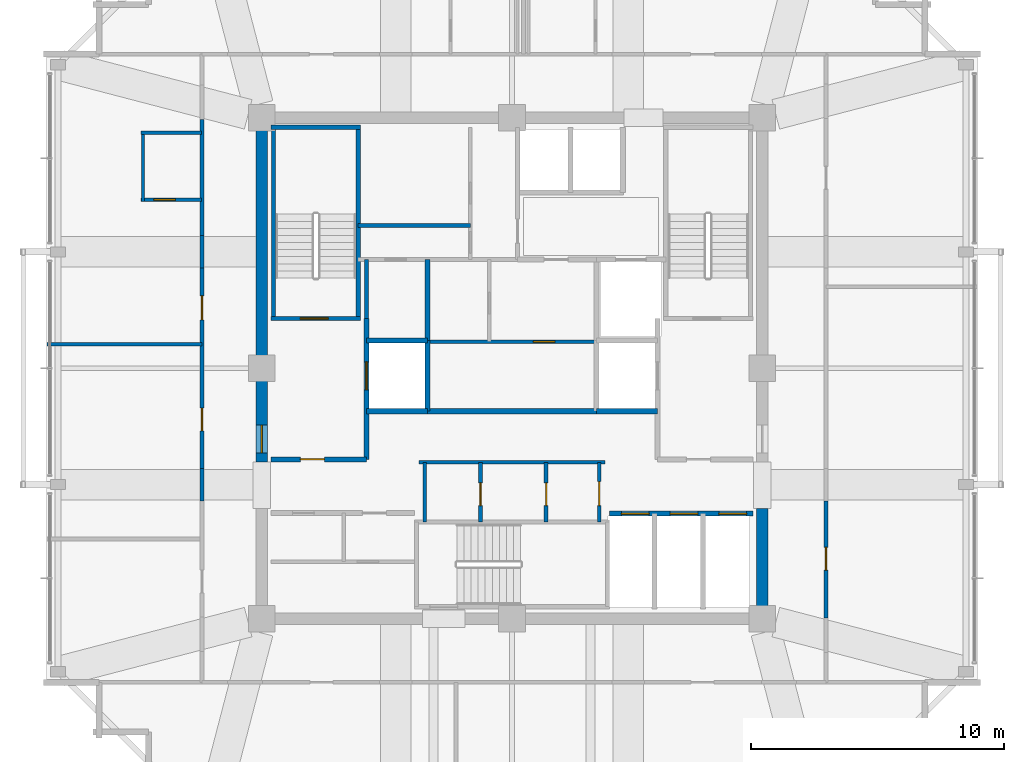
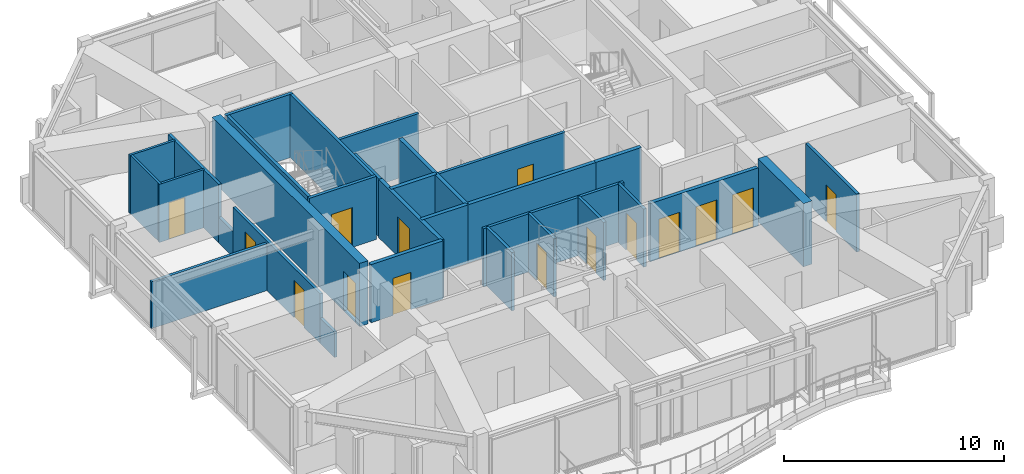
# One storey, part 27 of 30: 32 walls, 15 doors, 15 openings.
"""IFC4 building model written with IfcOpenShell, lengths in metres."""

import ifcopenshell
import ifcopenshell.guid

model = None  # the IFC model being written
_history = None  # IfcOwnerHistory: only IFC2X3 demands one
_inside = {}  # id of a spatial element -> (the spatial element, [elements in it])
_under = {}  # id of a project, library or spatial element -> (it, [spatial elements below it])
_declared = {}  # id of a project -> (the project, [libraries it declares])
_typed = {}  # id of a type object -> (the type object, [elements of that type])
_made_of = {}  # id of a material, layer set ... -> (it, [elements and type objects made of it])


def new_model(schema):
    """Start an empty IFC model of exactly this schema.

    Asked for "IFC4X3", IfcOpenShell would pick the latest addendum, in which some entities
    have other attributes; the version numbers below select the first issue.
    IFC2X3 requires an IfcOwnerHistory on every rooted entity: one is made here for all.
    """
    global model, _history
    if schema == "IFC4X3":
        model = ifcopenshell.file(schema_version=(4, 3, 0, 0))
    else:
        model = ifcopenshell.file(schema=schema)
    _inside.clear()
    _under.clear()
    _declared.clear()
    _typed.clear()
    _made_of.clear()
    _history = None
    if model.schema == "IFC2X3":
        org = make("IfcOrganization", Name="unknown")
        user = make(
            "IfcPersonAndOrganization",
            ThePerson=make("IfcPerson", FamilyName="unknown"),
            TheOrganization=org,
        )
        app = make(
            "IfcApplication",
            ApplicationDeveloper=org,
            Version="unknown",
            ApplicationFullName="unknown",
            ApplicationIdentifier="unknown",
        )
        _history = make(
            "IfcOwnerHistory",
            OwningUser=user,
            OwningApplication=app,
            ChangeAction="ADDED",
            CreationDate=0,
        )
    return model


def make(cls, **values):
    """One entity of the class cls with the attributes given. An attribute that is None is left unset."""
    return model.create_entity(
        cls, **{name: value for name, value in values.items() if value is not None}
    )


def rooted(cls, **values):
    """An entity with a GlobalId (a new one), such as an element, a storey or a relation."""
    return make(cls, GlobalId=ifcopenshell.guid.new(), OwnerHistory=_history, **values)


def si_unit(unit_type, name, prefix=None):
    """IfcSIUnit, for example si_unit("LENGTHUNIT", "METRE", prefix="MILLI")."""
    return make("IfcSIUnit", UnitType=unit_type, Prefix=prefix, Name=name)


def assignment(units):
    """IfcUnitAssignment: the units of a project."""
    return None if units is None else make("IfcUnitAssignment", Units=units)


def point(xyz):
    """IfcCartesianPoint."""
    return None if xyz is None else make("IfcCartesianPoint", Coordinates=xyz)


def direction(xyz):
    """IfcDirection."""
    return None if xyz is None else make("IfcDirection", DirectionRatios=xyz)


def frame(location, z_axis=None, x_axis=None):
    """IfcAxis2Placement3D, a coordinate frame: its origin and axes. An axis left out is left unset."""
    return make(
        "IfcAxis2Placement3D",
        Location=point(location),
        Axis=direction(z_axis),
        RefDirection=direction(x_axis),
    )


def frame_2d(location, x_axis=None):
    """IfcAxis2Placement2D, a coordinate frame in the plane: its origin and x axis."""
    return make(
        "IfcAxis2Placement2D", Location=point(location), RefDirection=direction(x_axis)
    )


def origin():
    """The frame at (0, 0, 0) with its axes left unset."""
    return frame((0.0, 0.0, 0.0))


def place(relative_to, where):
    """IfcLocalPlacement: puts the frame where relative to a parent placement (None: the world)."""
    return make(
        "IfcLocalPlacement", PlacementRelTo=relative_to, RelativePlacement=where
    )


def context(
    kind, dimensions, precision=None, world=None, true_north=None, identifier=None
):
    """IfcGeometricRepresentationContext, for example the 3D "Model" context."""
    return make(
        "IfcGeometricRepresentationContext",
        ContextIdentifier=identifier,
        ContextType=kind,
        CoordinateSpaceDimension=dimensions,
        Precision=precision,
        WorldCoordinateSystem=world,
        TrueNorth=true_north,
    )


def subcontext(parent, identifier, kind, view, scale=None):
    """IfcGeometricRepresentationSubContext, for example "Body" below "Model"."""
    return make(
        "IfcGeometricRepresentationSubContext",
        ContextIdentifier=identifier,
        ContextType=kind,
        ParentContext=parent,
        TargetScale=scale,
        TargetView=view,
    )


def project(units=None, contexts=None):
    """IfcProject with its units and contexts."""
    return rooted(
        "IfcProject",
        Name="project",
        RepresentationContexts=contexts,
        UnitsInContext=assignment(units),
    )


def spatial(cls, under=None, at=None, **own):
    """A site, building, storey or space (cls), placed at a placement, below another one or the project."""
    s = rooted(cls, ObjectPlacement=at, **own)
    if under is not None:
        _under.setdefault(under.id(), (under, []))[1].append(s)
    return s


def profile(cls, at=None, kind="AREA", **sizes):
    """A parametric profile (cls). Its sizes go by their IFC names, for example OverallWidth=200.0."""
    return make(cls, ProfileType=kind, Position=at, **sizes)


def rectangle(**sizes):
    """IfcRectangleProfileDef."""
    return profile("IfcRectangleProfileDef", **sizes)


def extrude(swept, where, along, depth):
    """IfcExtrudedAreaSolid: the profile swept, set in the frame where, extruded along a direction by depth."""
    return make(
        "IfcExtrudedAreaSolid",
        SweptArea=swept,
        Position=where,
        ExtrudedDirection=direction(along),
        Depth=depth,
    )


def shape(context_of_items, identifier, shape_type, items):
    """IfcShapeRepresentation: the items that make up one representation, for example the "Body"."""
    return make(
        "IfcShapeRepresentation",
        ContextOfItems=context_of_items,
        RepresentationIdentifier=identifier,
        RepresentationType=shape_type,
        Items=items,
    )


def material(Name=None, Category=None):
    """IfcMaterial."""
    return make("IfcMaterial", Name=Name, Category=Category)


def layer(
    of_material, thickness, ventilated=None, Name=None, Category=None, Priority=None
):
    """IfcMaterialLayer: one layer of a wall or slab, of a material (None: an air gap)."""
    return make(
        "IfcMaterialLayer",
        Material=of_material,
        LayerThickness=thickness,
        IsVentilated=ventilated,
        Name=Name,
        Category=Category,
        Priority=Priority,
    )


def layer_set(layers, Name=None):
    """IfcMaterialLayerSet."""
    return make("IfcMaterialLayerSet", MaterialLayers=layers, LayerSetName=Name)


def made_of(thing, what):
    """Note that an element or type object is made of a material, layer set ...; save() writes the relation."""
    if what is not None:
        _made_of.setdefault(what.id(), (what, []))[1].append(thing)
    return thing


def type_object(cls, material=None, **own):
    """A type object (cls), such as IfcWallType, which elements share."""
    return made_of(rooted(cls, **own), material)


def element(
    cls,
    number,
    at=None,
    inside=None,
    cuts=None,
    type_object=None,
    material=None,
    context=None,
    identifier="Body",
    shape_type=None,
    held_by="IfcProductDefinitionShape",
    body=None,
    shapes=None,
    **own,
):
    """One element of the class cls, such as IfcWall. Its Tag is "e" and its number.

    at: its placement. inside: the storey or other place that contains it. cuts: it is an
    opening in that element (IfcRelVoidsElement). A single representation is given by context,
    identifier, shape_type and body (its items); several are given by shapes. held_by: the class
    of the entity that holds the representations. save() writes the other relations.
    """
    e = rooted(cls, Tag="e%d" % number, ObjectPlacement=at, **own)
    if body is not None:
        shapes = [shape(context, identifier, shape_type, body)]
    if shapes is not None:
        e.Representation = make(held_by, Representations=shapes)
    if inside is not None:
        _inside.setdefault(inside.id(), (inside, []))[1].append(e)
    if cuts is not None:
        rooted(
            "IfcRelVoidsElement", RelatingBuildingElement=cuts, RelatedOpeningElement=e
        )
    if type_object is not None:
        _typed.setdefault(type_object.id(), (type_object, []))[1].append(e)
    return made_of(e, material)


def fill(opening, filler):
    """IfcRelFillsElement: the door or window that sits in an opening."""
    return rooted(
        "IfcRelFillsElement",
        RelatingOpeningElement=opening,
        RelatedBuildingElement=filler,
    )


def aggregate(whole, parts):
    """IfcRelAggregates: a whole, such as a stair, and the parts it consists of."""
    return rooted("IfcRelAggregates", RelatingObject=whole, RelatedObjects=parts)


def save(model, path):
    """Write the relations noted so far, then the file.

    IfcRelAggregates (storeys below a building ...), IfcRelContainedInSpatialStructure (elements
    in a storey), IfcRelDefinesByType, IfcRelAssociatesMaterial and IfcRelDeclares: one each for
    every whole, place, type object, material and project.
    """
    for whole, parts in _under.values():
        aggregate(whole, parts)
    for where, things in _inside.values():
        rooted(
            "IfcRelContainedInSpatialStructure",
            RelatedElements=things,
            RelatingStructure=where,
        )
    for kind, things in _typed.values():
        rooted("IfcRelDefinesByType", RelatedObjects=things, RelatingType=kind)
    for what, things in _made_of.values():
        rooted("IfcRelAssociatesMaterial", RelatedObjects=things, RelatingMaterial=what)
    for by, libraries in _declared.values():
        rooted("IfcRelDeclares", RelatingContext=by, RelatedDefinitions=libraries)
    model.write(path)


model = new_model("IFC4")

# Units and contexts
model_context = context("Model", 3, precision=1e-05, world=origin(), true_north=direction((0.0, 1.0)))
body_context = subcontext(model_context, "Body", "Model", "MODEL_VIEW")
ifc_project = project(units=[si_unit("LENGTHUNIT", "METRE"), si_unit("AREAUNIT", "SQUARE_METRE"), si_unit("VOLUMEUNIT", "CUBIC_METRE"), si_unit("PLANEANGLEUNIT", "RADIAN"), si_unit("MASSUNIT", "GRAM", prefix="KILO")], contexts=[model_context])

# Site, building, storey
site_placement = place(None, origin())
site = spatial("IfcSite", under=ifc_project, at=site_placement, CompositionType="ELEMENT")
building_placement = place(site_placement, origin())
building = spatial("IfcBuilding", under=site, at=building_placement, Name="Kolvaren Belvedere", CompositionType="ELEMENT")
storey_placement = place(building_placement, frame((0.0, 0.0, 254.89990234375)))
storey = spatial("IfcBuildingStorey", under=building, at=storey_placement, Name="L74", CompositionType="ELEMENT", Elevation=254.89990234375)

# Wall
ifc_material_1 = material(Name="Concrete C50/60", Category="concrete")
ifc_layer_1 = layer(ifc_material_1, 0.449951171875)
ifc_layer_set_1 = layer_set([ifc_layer_1], Name="Concrete C50/60")
wall_type_1 = type_object("IfcWallType", Name="CW-CORE-450", PredefinedType="SHEAR", material=ifc_layer_set_1)
wall_1_placement = place(storey_placement, frame((9.89990234375, -9.675048828125, 0.0), z_axis=(0.0, 0.0, 1.0), x_axis=(0.0, 1.0, 0.0)))
element("IfcWall", 1, at=wall_1_placement, inside=storey, type_object=wall_type_1, Name="L74 East Core Shear Wall 1", PredefinedType="SHEAR", context=body_context, shape_type="SweptSolid", body=[
    extrude(rectangle(XDim=4.125, YDim=0.449951171875, at=frame_2d((2.0625, 0.0))), origin(), (0.0, 0.0, 1.0), 3.5),
])

# Wall, opening, door
wall_2_placement = place(storey_placement, frame((-9.89990234375, -3.699951171875, 0.0), z_axis=(0.0, 0.0, 1.0), x_axis=(0.0, 1.0, 0.0)))
wall_2 = element("IfcWall", 2, at=wall_2_placement, inside=storey, type_object=wall_type_1, Name="L74 West Core Shear Wall 2", PredefinedType="SHEAR", context=body_context, shape_type="SweptSolid", body=[
    extrude(rectangle(XDim=13.375, YDim=0.449951171875, at=frame_2d((6.6875, 0.0))), origin(), (0.0, 0.0, 1.0), 3.5),
])
opening_1_placement = place(wall_2_placement, frame((0.35009765625, 0.0, 0.0)))
opening_1 = element("IfcOpeningElement", 3, at=opening_1_placement, cuts=wall_2, Name="Opening D-FD90", PredefinedType="OPENING", context=body_context, shape_type="SweptSolid", body=[
    extrude(rectangle(XDim=1.10009765625, YDim=2.199951171875, at=frame_2d((0.550048828125, 1.10009765625))), frame((0.0, 0.23486328125, 0.0), z_axis=(0.0, -1.0, 0.0), x_axis=(1.0, 0.0, 0.0)), (0.0, 0.0, 1.0), 0.469970703125),
])
ifc_material_2 = material(Name="Painted hollow stainless steel", Category="steel")
door_type_1 = type_object("IfcDoorType", Name="DR-FD90-1100", OperationType="NOTDEFINED", PredefinedType="DOOR", material=ifc_material_2)
door_1_placement = place(opening_1_placement, origin())
door_1 = element("IfcDoor", 4, at=door_1_placement, inside=storey, type_object=door_type_1, Name="L74 West Firefighting Lobby Fire Door", OperationType="SINGLE_SWING_LEFT", OverallHeight=2.199951171875, OverallWidth=1.10009765625, PredefinedType="DOOR", context=body_context, shape_type="SweptSolid", body=[
    extrude(rectangle(XDim=1.10009765625, YDim=2.199951171875, at=frame_2d((0.550048828125, 1.10009765625))), frame((0.0, 0.02490234375, 0.0), z_axis=(0.0, -1.0, 0.0), x_axis=(1.0, 0.0, 0.0)), (0.0, 0.0, 1.0), 0.050048828125),
])
fill(opening_1, door_1)

ifc_material_3 = material(Name="Concrete C50/60", Category="concrete")
ifc_layer_2 = layer(ifc_material_3, 0.159912109375)
ifc_layer_set_2 = layer_set([ifc_layer_2], Name="Concrete C50/60")
wall_type_2 = type_object("IfcWallType", Name="CW-STAIR-160", PredefinedType="SHEAR", material=ifc_layer_set_2)
wall_3_placement = place(storey_placement, frame((-9.52001953125, 1.969970703125, 0.0), z_axis=(0.0, 0.0, 1.0), x_axis=(1.0, 0.0, 0.0)))
wall_3 = element("IfcWall", 5, at=wall_3_placement, inside=storey, type_object=wall_type_2, Name="L74 Stair ST-1 South Shear Wall", PredefinedType="SHEAR", context=body_context, shape_type="SweptSolid", body=[
    extrude(rectangle(XDim=3.52001953125, YDim=0.159912109375, at=frame_2d((1.760009765625, 0.0))), origin(), (0.0, 0.0, 1.0), 3.5),
])
opening_2_placement = place(wall_3_placement, frame((1.14990234375, 0.0, 0.0)))
opening_2 = element("IfcOpeningElement", 6, at=opening_2_placement, cuts=wall_3, Name="Opening D-FD90", PredefinedType="OPENING", context=body_context, shape_type="SweptSolid", body=[
    extrude(rectangle(XDim=1.10009765625, YDim=2.199951171875, at=frame_2d((0.550048828125, 1.10009765625))), frame((0.0, 0.08984375, 0.0), z_axis=(0.0, -1.0, 0.0), x_axis=(1.0, 0.0, 0.0)), (0.0, 0.0, 1.0), 0.179931640625),
])
door_2_placement = place(opening_2_placement, origin())
door_2 = element("IfcDoor", 7, at=door_2_placement, inside=storey, type_object=door_type_1, Name="L74 Stair ST-1 Fire Door", OperationType="SINGLE_SWING_LEFT", OverallHeight=2.199951171875, OverallWidth=1.10009765625, PredefinedType="DOOR", context=body_context, shape_type="SweptSolid", body=[
    extrude(rectangle(XDim=1.10009765625, YDim=2.199951171875, at=frame_2d((0.550048828125, 1.10009765625))), frame((0.0, 0.02490234375, 0.0), z_axis=(0.0, -1.0, 0.0), x_axis=(1.0, 0.0, 0.0)), (0.0, 0.0, 1.0), 0.050048828125),
])
fill(opening_2, door_2)

# Walls
wall_4_placement = place(storey_placement, frame((-9.52001953125, 9.530029296875, 0.0), z_axis=(0.0, 0.0, 1.0), x_axis=(1.0, 0.0, 0.0)))
element("IfcWall", 8, at=wall_4_placement, inside=storey, type_object=wall_type_2, Name="L74 Stair ST-1 North Shear Wall", PredefinedType="SHEAR", context=body_context, shape_type="SweptSolid", body=[
    extrude(rectangle(XDim=3.52001953125, YDim=0.159912109375, at=frame_2d((1.760009765625, 0.0))), origin(), (0.0, 0.0, 1.0), 3.5),
])
for number, where, z_axis, x_axis, name in (
    (9, (-9.429931640625, 1.969970703125, 0.0), (0.0, 0.0, 1.0), (0.0, 1.0, 0.0), "L74 Stair ST-1 West Shear Wall"),
    (10, (-6.080078125, 1.969970703125, 0.0), (0.0, 0.0, 1.0), (0.0, 1.0, 0.0), "L74 Stair ST-1 East Shear Wall"),
):
    element("IfcWall", number, at=place(storey_placement, frame(where, z_axis=z_axis, x_axis=x_axis)), inside=storey, type_object=wall_type_2, Name=name, PredefinedType="SHEAR", context=body_context, shape_type="SweptSolid", body=[
        extrude(rectangle(XDim=7.56005859375, YDim=0.159912109375, at=frame_2d((3.780029296875, 0.0))), origin(), (0.0, 0.0, 1.0), 3.5),
    ])
ifc_material_4 = material(Name="Gypsum fire-rated partition assembly", Category="gypsum")
ifc_layer_3 = layer(ifc_material_4, 0.14990234375)
ifc_layer_set_3 = layer_set([ifc_layer_3], Name="Gypsum fire-rated partition assembly")
wall_type_3 = type_object("IfcWallType", Name="WL-CORR-150", PredefinedType="PARTITIONING", material=ifc_layer_set_3)
wall_5_placement = place(storey_placement, frame((-12.260009765625, -5.241943359375, 0.0), z_axis=(0.0, 0.0, 1.0), x_axis=(0.0, 1.0, 0.0)))
element("IfcWall", 11, at=wall_5_placement, inside=storey, type_object=wall_type_3, Name="L74 West Corridor Wall", PredefinedType="PARTITIONING", context=body_context, shape_type="SweptSolid", body=[
    extrude(rectangle(XDim=1.283935546875, YDim=0.14990234375, at=frame_2d((0.64208984375, 0.0))), origin(), (0.0, 0.0, 1.0), 1.405029296875),
])

# Wall, openings, doors
wall_6_placement = place(storey_placement, frame((-12.260009765625, -3.9580078125, 0.0), z_axis=(0.0, 0.0, 1.0), x_axis=(0.0, 1.0, 0.0)))
wall_6 = element("IfcWall", 12, at=wall_6_placement, inside=storey, type_object=wall_type_3, Name="L74 West Corridor Wall", PredefinedType="PARTITIONING", context=body_context, shape_type="SweptSolid", body=[
    extrude(rectangle(XDim=7.916015625, YDim=0.14990234375, at=frame_2d((3.9580078125, 0.0))), origin(), (0.0, 0.0, 1.0), 2.7451171875),
])
opening_3_placement = place(wall_6_placement, frame((1.47802734375, 0.0, 0.0)))
opening_3 = element("IfcOpeningElement", 13, at=opening_3_placement, cuts=wall_6, Name="Opening D-INT90", PredefinedType="OPENING", context=body_context, shape_type="SweptSolid", body=[
    extrude(rectangle(XDim=0.89990234375, YDim=2.06005859375, at=frame_2d((0.449951171875, 1.030029296875))), frame((0.0, 0.0849609375, 0.0), z_axis=(0.0, -1.0, 0.0), x_axis=(1.0, 0.0, 0.0)), (0.0, 0.0, 1.0), 0.169921875),
])
opening_4_placement = place(wall_6_placement, frame((5.87109375, 0.0, 0.0)))
opening_4 = element("IfcOpeningElement", 14, at=opening_4_placement, cuts=wall_6, Name="Opening D-FD60", PredefinedType="OPENING", context=body_context, shape_type="SweptSolid", body=[
    extrude(rectangle(XDim=0.949951171875, YDim=2.06005859375, at=frame_2d((0.47509765625, 1.030029296875))), frame((0.0, 0.0849609375, 0.0), z_axis=(0.0, -1.0, 0.0), x_axis=(1.0, 0.0, 0.0)), (0.0, 0.0, 1.0), 0.169921875),
])
ifc_material_5 = material(Name="Acoustic white-oak fire door leaf", Category="timber")
door_type_2 = type_object("IfcDoorType", Name="DR-FD60-950", OperationType="NOTDEFINED", PredefinedType="DOOR", material=ifc_material_5)
door_3_placement = place(opening_4_placement, origin())
door_3 = element("IfcDoor", 15, at=door_3_placement, inside=storey, type_object=door_type_2, Name="L74 Botanical Hospitality Suite 7407 Entry Door", OperationType="SINGLE_SWING_LEFT", OverallHeight=2.06005859375, OverallWidth=0.949951171875, PredefinedType="DOOR", context=body_context, shape_type="SweptSolid", body=[
    extrude(rectangle(XDim=0.949951171875, YDim=2.06005859375, at=frame_2d((0.47509765625, 1.030029296875))), frame((0.0, 0.02490234375, 0.0), z_axis=(0.0, -1.0, 0.0), x_axis=(1.0, 0.0, 0.0)), (0.0, 0.0, 1.0), 0.050048828125),
])
fill(opening_4, door_3)
ifc_material_6 = material(Name="Stained Pacific white oak", Category="timber")
door_type_3 = type_object("IfcDoorType", Name="DR-INT-900", OperationType="NOTDEFINED", PredefinedType="DOOR", material=ifc_material_6)
door_4_placement = place(opening_3_placement, origin())
door_4 = element("IfcDoor", 16, at=door_4_placement, inside=storey, type_object=door_type_3, Name="L74 Botanical Reading Salon 7406 Door", OperationType="SINGLE_SWING_LEFT", OverallHeight=2.06005859375, OverallWidth=0.89990234375, PredefinedType="DOOR", context=body_context, shape_type="SweptSolid", body=[
    extrude(rectangle(XDim=0.89990234375, YDim=2.06005859375, at=frame_2d((0.449951171875, 1.030029296875))), frame((0.0, 0.02490234375, 0.0), z_axis=(0.0, -1.0, 0.0), x_axis=(1.0, 0.0, 0.0)), (0.0, 0.0, 1.0), 0.050048828125),
])
fill(opening_3, door_4)

# Walls
wall_7_placement = place(storey_placement, frame((-12.260009765625, 3.9580078125, 0.0), z_axis=(0.0, 0.0, 1.0), x_axis=(0.0, 1.0, 0.0)))
element("IfcWall", 17, at=wall_7_placement, inside=storey, type_object=wall_type_3, Name="L74 West Corridor Wall", PredefinedType="PARTITIONING", context=body_context, shape_type="SweptSolid", body=[
    extrude(rectangle(XDim=1.283935546875, YDim=0.14990234375, at=frame_2d((0.64208984375, 0.0))), origin(), (0.0, 0.0, 1.0), 1.405029296875),
])
wall_8_placement = place(storey_placement, frame((-12.260009765625, 5.241943359375, 0.0), z_axis=(0.0, 0.0, 1.0), x_axis=(0.0, 1.0, 0.0)))
element("IfcWall", 18, at=wall_8_placement, inside=storey, type_object=wall_type_3, Name="L74 West Corridor Wall", PredefinedType="PARTITIONING", context=body_context, shape_type="SweptSolid", body=[
    extrude(rectangle(XDim=4.58837890625, YDim=0.14990234375, at=frame_2d((2.294189453125, 0.0))), origin(), (0.0, 0.0, 1.0), 3.22021484375),
])

# Wall, opening, door
wall_9_placement = place(storey_placement, frame((12.419921875, -9.872314453125, 0.0), z_axis=(0.0, 0.0, 1.0), x_axis=(0.0, 1.0, 0.0)))
wall_9 = element("IfcWall", 19, at=wall_9_placement, inside=storey, type_object=wall_type_3, Name="L74 East Corridor Wall", PredefinedType="PARTITIONING", context=body_context, shape_type="SweptSolid", body=[
    extrude(rectangle(XDim=4.63037109375, YDim=0.14990234375, at=frame_2d((2.315185546875, 0.0))), origin(), (0.0, 0.0, 1.0), 3.22021484375),
])
opening_5_placement = place(wall_9_placement, frame((1.88720703125, 0.0, 0.0)))
opening_5 = element("IfcOpeningElement", 20, at=opening_5_placement, cuts=wall_9, Name="Opening D-INT90", PredefinedType="OPENING", context=body_context, shape_type="SweptSolid", body=[
    extrude(rectangle(XDim=0.89990234375, YDim=2.06005859375, at=frame_2d((0.449951171875, 1.030029296875))), frame((0.0, 0.0849609375, 0.0), z_axis=(0.0, -1.0, 0.0), x_axis=(1.0, 0.0, 0.0)), (0.0, 0.0, 1.0), 0.169921875),
])
door_5_placement = place(opening_5_placement, origin())
door_5 = element("IfcDoor", 21, at=door_5_placement, inside=storey, type_object=door_type_3, Name="L74 Lounge 7403 Door", OperationType="SINGLE_SWING_RIGHT", OverallHeight=2.06005859375, OverallWidth=0.89990234375, PredefinedType="DOOR", context=body_context, shape_type="SweptSolid", body=[
    extrude(rectangle(XDim=0.89990234375, YDim=2.06005859375, at=frame_2d((0.449951171875, 1.030029296875))), frame((0.0, 0.02490234375, 0.0), z_axis=(0.0, -1.0, 0.0), x_axis=(1.0, 0.0, 0.0)), (0.0, 0.0, 1.0), 0.050048828125),
])
fill(opening_5, door_5)

# Wall
ifc_material_7 = material(Name="Gypsum acoustic partition assembly", Category="gypsum")
ifc_layer_4 = layer(ifc_material_7, 0.14990234375)
ifc_layer_set_4 = layer_set([ifc_layer_4], Name="Gypsum acoustic partition assembly")
wall_type_4 = type_object("IfcWallType", Name="WL-PART-150", PredefinedType="PARTITIONING", material=ifc_layer_set_4)
wall_10_placement = place(storey_placement, frame((-6.080078125, 5.64990234375, 0.0), z_axis=(0.0, 0.0, 1.0), x_axis=(1.0, 0.0, 0.0)))
element("IfcWall", 22, at=wall_10_placement, inside=storey, type_object=wall_type_4, Name="L74 Reclaimed Tearoom H-Divider", PredefinedType="PARTITIONING", context=body_context, shape_type="SweptSolid", body=[
    extrude(rectangle(XDim=4.43017578125, YDim=0.14990234375, at=frame_2d((2.215087890625, 0.0))), origin(), (0.0, 0.0, 1.0), 3.22021484375),
])

# Wall, opening, door
wall_11_placement = place(storey_placement, frame((-3.35009765625, 1.050048828125, 0.0), z_axis=(0.0, 0.0, 1.0), x_axis=(1.0, 0.0, 0.0)))
wall_11 = element("IfcWall", 23, at=wall_11_placement, inside=storey, type_object=wall_type_4, Name="L74 Central Core H-Divider", PredefinedType="PARTITIONING", context=body_context, shape_type="SweptSolid", body=[
    extrude(rectangle(XDim=6.7001953125, YDim=0.14990234375, at=frame_2d((3.35009765625, 0.0))), origin(), (0.0, 0.0, 1.0), 3.22021484375),
])
opening_6_placement = place(wall_11_placement, frame((4.199951171875, 0.0, 0.0)))
opening_6 = element("IfcOpeningElement", 24, at=opening_6_placement, cuts=wall_11, Name="Opening D-INT85", PredefinedType="OPENING", context=body_context, shape_type="SweptSolid", body=[
    extrude(rectangle(XDim=0.85009765625, YDim=2.030029296875, at=frame_2d((0.425048828125, 1.01513671875))), frame((0.0, 0.0849609375, 0.0), z_axis=(0.0, -1.0, 0.0), x_axis=(1.0, 0.0, 0.0)), (0.0, 0.0, 1.0), 0.169921875),
])
ifc_material_8 = material(Name="Stained Pacific white oak", Category="timber")
door_type_4 = type_object("IfcDoorType", Name="DR-INT-850", OperationType="NOTDEFINED", PredefinedType="DOOR", material=ifc_material_8)
door_6_placement = place(opening_6_placement, origin())
door_6 = element("IfcDoor", 25, at=door_6_placement, inside=storey, type_object=door_type_4, Name="L74 Central Metering Door", OperationType="SINGLE_SWING_LEFT", OverallHeight=2.030029296875, OverallWidth=0.85009765625, PredefinedType="DOOR", context=body_context, shape_type="SweptSolid", body=[
    extrude(rectangle(XDim=0.85009765625, YDim=2.030029296875, at=frame_2d((0.425048828125, 1.01513671875))), frame((0.0, 0.02490234375, 0.0), z_axis=(0.0, -1.0, 0.0), x_axis=(1.0, 0.0, 0.0)), (0.0, 0.0, 1.0), 0.050048828125),
])
fill(opening_6, door_6)

# Wall
wall_12_placement = place(storey_placement, frame((-3.679931640625, -3.719970703125, 0.0), z_axis=(0.0, 0.0, 1.0), x_axis=(1.0, 0.0, 0.0)))
element("IfcWall", 26, at=wall_12_placement, inside=storey, type_object=wall_type_4, Name="L74 South Core Service North Wall", PredefinedType="PARTITIONING", context=body_context, shape_type="SweptSolid", body=[
    extrude(rectangle(XDim=7.35986328125, YDim=0.14990234375, at=frame_2d((3.679931640625, 0.0))), origin(), (0.0, 0.0, 1.0), 3.22021484375),
])

# Wall, opening, door
wall_13_placement = place(storey_placement, frame((3.449951171875, -6.080078125, 0.0), z_axis=(0.0, 0.0, 1.0), x_axis=(0.0, 1.0, 0.0)))
wall_13 = element("IfcWall", 27, at=wall_13_placement, inside=storey, type_object=wall_type_4, Name="L74 South Core Service East Wall", PredefinedType="PARTITIONING", context=body_context, shape_type="SweptSolid", body=[
    extrude(rectangle(XDim=2.360107421875, YDim=0.14990234375, at=frame_2d((1.18017578125, 0.0))), origin(), (0.0, 0.0, 1.0), 3.22021484375),
])
opening_7_placement = place(wall_13_placement, frame((0.64990234375, 0.0, 0.0)))
opening_7 = element("IfcOpeningElement", 28, at=opening_7_placement, cuts=wall_13, Name="Opening D-FD60", PredefinedType="OPENING", context=body_context, shape_type="SweptSolid", body=[
    extrude(rectangle(XDim=0.949951171875, YDim=2.06005859375, at=frame_2d((0.47509765625, 1.030029296875))), frame((0.0, 0.0849609375, 0.0), z_axis=(0.0, -1.0, 0.0), x_axis=(1.0, 0.0, 0.0)), (0.0, 0.0, 1.0), 0.169921875),
])
door_7_placement = place(opening_7_placement, origin())
door_7 = element("IfcDoor", 29, at=door_7_placement, inside=storey, type_object=door_type_2, Name="L74 Core Service Room Door", OperationType="SINGLE_SWING_LEFT", OverallHeight=2.06005859375, OverallWidth=0.949951171875, PredefinedType="DOOR", context=body_context, shape_type="SweptSolid", body=[
    extrude(rectangle(XDim=0.949951171875, YDim=2.06005859375, at=frame_2d((0.47509765625, 1.030029296875))), frame((0.0, 0.02490234375, 0.0), z_axis=(0.0, -1.0, 0.0), x_axis=(1.0, 0.0, 0.0)), (0.0, 0.0, 1.0), 0.050048828125),
])
fill(opening_7, door_7)

# Wall
wall_14_placement = place(storey_placement, frame((-3.449951171875, -6.080078125, 0.0), z_axis=(0.0, 0.0, 1.0), x_axis=(0.0, 1.0, 0.0)))
element("IfcWall", 30, at=wall_14_placement, inside=storey, type_object=wall_type_4, Name="L74 South Core Service West Wall", PredefinedType="PARTITIONING", context=body_context, shape_type="SweptSolid", body=[
    extrude(rectangle(XDim=2.360107421875, YDim=0.14990234375, at=frame_2d((1.18017578125, 0.0))), origin(), (0.0, 0.0, 1.0), 3.22021484375),
])

# Wall, opening, door
wall_15_placement = place(storey_placement, frame((1.35009765625, -6.080078125, 0.0), z_axis=(0.0, 0.0, 1.0), x_axis=(0.0, 1.0, 0.0)))
wall_15 = element("IfcWall", 31, at=wall_15_placement, inside=storey, type_object=wall_type_4, Name="L74 Core Service Divider 1", PredefinedType="PARTITIONING", context=body_context, shape_type="SweptSolid", body=[
    extrude(rectangle(XDim=2.360107421875, YDim=0.14990234375, at=frame_2d((1.18017578125, 0.0))), origin(), (0.0, 0.0, 1.0), 3.22021484375),
])
opening_8_placement = place(wall_15_placement, frame((0.64990234375, 0.0, 0.0)))
opening_8 = element("IfcOpeningElement", 32, at=opening_8_placement, cuts=wall_15, Name="Opening D-INT90", PredefinedType="OPENING", context=body_context, shape_type="SweptSolid", body=[
    extrude(rectangle(XDim=0.89990234375, YDim=2.06005859375, at=frame_2d((0.449951171875, 1.030029296875))), frame((0.0, 0.0849609375, 0.0), z_axis=(0.0, -1.0, 0.0), x_axis=(1.0, 0.0, 0.0)), (0.0, 0.0, 1.0), 0.169921875),
])
door_8_placement = place(opening_8_placement, origin())
door_8 = element("IfcDoor", 33, at=door_8_placement, inside=storey, type_object=door_type_3, Name="L74 Data Closet Door", OperationType="SINGLE_SWING_RIGHT", OverallHeight=2.06005859375, OverallWidth=0.89990234375, PredefinedType="DOOR", context=body_context, shape_type="SweptSolid", body=[
    extrude(rectangle(XDim=0.89990234375, YDim=2.06005859375, at=frame_2d((0.449951171875, 1.030029296875))), frame((0.0, 0.02490234375, 0.0), z_axis=(0.0, -1.0, 0.0), x_axis=(1.0, 0.0, 0.0)), (0.0, 0.0, 1.0), 0.050048828125),
])
fill(opening_8, door_8)

wall_16_placement = place(storey_placement, frame((-1.25, -6.080078125, 0.0), z_axis=(0.0, 0.0, 1.0), x_axis=(0.0, 1.0, 0.0)))
wall_16 = element("IfcWall", 34, at=wall_16_placement, inside=storey, type_object=wall_type_4, Name="L74 Core Service Divider 2", PredefinedType="PARTITIONING", context=body_context, shape_type="SweptSolid", body=[
    extrude(rectangle(XDim=2.360107421875, YDim=0.14990234375, at=frame_2d((1.18017578125, 0.0))), origin(), (0.0, 0.0, 1.0), 3.22021484375),
])
opening_9_placement = place(wall_16_placement, frame((0.64990234375, 0.0, 0.0)))
opening_9 = element("IfcOpeningElement", 35, at=opening_9_placement, cuts=wall_16, Name="Opening D-INT90", PredefinedType="OPENING", context=body_context, shape_type="SweptSolid", body=[
    extrude(rectangle(XDim=0.89990234375, YDim=2.06005859375, at=frame_2d((0.449951171875, 1.030029296875))), frame((0.0, 0.0849609375, 0.0), z_axis=(0.0, -1.0, 0.0), x_axis=(1.0, 0.0, 0.0)), (0.0, 0.0, 1.0), 0.169921875),
])
door_9_placement = place(opening_9_placement, origin())
door_9 = element("IfcDoor", 36, at=door_9_placement, inside=storey, type_object=door_type_3, Name="L74 Janitor Room Door", OperationType="SINGLE_SWING_LEFT", OverallHeight=2.06005859375, OverallWidth=0.89990234375, PredefinedType="DOOR", context=body_context, shape_type="SweptSolid", body=[
    extrude(rectangle(XDim=0.89990234375, YDim=2.06005859375, at=frame_2d((0.449951171875, 1.030029296875))), frame((0.0, 0.02490234375, 0.0), z_axis=(0.0, -1.0, 0.0), x_axis=(1.0, 0.0, 0.0)), (0.0, 0.0, 1.0), 0.050048828125),
])
fill(opening_9, door_9)

# Walls
wall_17_placement = place(storey_placement, frame((-5.75, 1.969970703125, 0.0), z_axis=(0.0, 0.0, 1.0), x_axis=(0.0, 1.0, 0.0)))
element("IfcWall", 37, at=wall_17_placement, inside=storey, type_object=wall_type_4, Name="L74 NW Service Room West Wall", PredefinedType="PARTITIONING", context=body_context, shape_type="SweptSolid", body=[
    extrude(rectangle(XDim=2.330078125, YDim=0.14990234375, at=frame_2d((1.1650390625, 0.0))), origin(), (0.0, 0.0, 1.0), 3.22021484375),
])
wall_18_placement = place(storey_placement, frame((-18.3798828125, 0.947998046875, 0.0), z_axis=(0.0, 0.0, 1.0), x_axis=(1.0, 0.0, 0.0)))
element("IfcWall", 38, at=wall_18_placement, inside=storey, type_object=wall_type_4, Name="L74 West Suite Demising Wall 2", PredefinedType="PARTITIONING", context=body_context, shape_type="SweptSolid", body=[
    extrude(rectangle(XDim=6.119873046875, YDim=0.14990234375, at=frame_2d((3.06005859375, 0.0))), origin(), (0.0, 0.0, 1.0), 2.593017578125),
])

# Wall, opening, door
ifc_material_9 = material(Name="Concrete C50/60", Category="concrete")
ifc_layer_5 = layer(ifc_material_9, 0.199951171875)
ifc_layer_set_5 = layer_set([ifc_layer_5], Name="Concrete C50/60")
wall_type_5 = type_object("IfcWallType", Name="WL-SHAFT-200", PredefinedType="SOLIDWALL", material=ifc_layer_set_5)
wall_19_placement = place(storey_placement, frame((-9.52001953125, -3.60009765625, 0.0), z_axis=(0.0, 0.0, 1.0), x_axis=(1.0, 0.0, 0.0)))
wall_19 = element("IfcWall", 39, at=wall_19_placement, inside=storey, type_object=wall_type_5, Name="L74 West FSAE Lobby South Wall", PredefinedType="SOLIDWALL", context=body_context, shape_type="SweptSolid", body=[
    extrude(rectangle(XDim=3.77001953125, YDim=0.199951171875, at=frame_2d((1.885009765625, 0.0))), origin(), (0.0, 0.0, 1.0), 3.22021484375),
])
opening_10_placement = place(wall_19_placement, frame((1.14990234375, 0.0, 0.0)))
opening_10 = element("IfcOpeningElement", 40, at=opening_10_placement, cuts=wall_19, Name="Opening D-FD60", PredefinedType="OPENING", context=body_context, shape_type="SweptSolid", body=[
    extrude(rectangle(XDim=0.949951171875, YDim=2.06005859375, at=frame_2d((0.47509765625, 1.030029296875))), frame((0.0, 0.10986328125, 0.0), z_axis=(0.0, -1.0, 0.0), x_axis=(1.0, 0.0, 0.0)), (0.0, 0.0, 1.0), 0.219970703125),
])
door_10_placement = place(opening_10_placement, origin())
door_10 = element("IfcDoor", 41, at=door_10_placement, inside=storey, type_object=door_type_2, Name="L74 SW Lobby Fire Door", OperationType="SINGLE_SWING_LEFT", OverallHeight=2.06005859375, OverallWidth=0.949951171875, PredefinedType="DOOR", context=body_context, shape_type="SweptSolid", body=[
    extrude(rectangle(XDim=0.949951171875, YDim=2.06005859375, at=frame_2d((0.47509765625, 1.030029296875))), frame((0.0, 0.02490234375, 0.0), z_axis=(0.0, -1.0, 0.0), x_axis=(1.0, 0.0, 0.0)), (0.0, 0.0, 1.0), 0.050048828125),
])
fill(opening_10, door_10)

wall_20_placement = place(storey_placement, frame((-5.75, -3.60009765625, 0.0), z_axis=(0.0, 0.0, 1.0), x_axis=(0.0, 1.0, 0.0)))
wall_20 = element("IfcWall", 42, at=wall_20_placement, inside=storey, type_object=wall_type_5, Name="L74 FSAE FS1 Landing Wall", PredefinedType="SOLIDWALL", context=body_context, shape_type="SweptSolid", body=[
    extrude(rectangle(XDim=5.570068359375, YDim=0.199951171875, at=frame_2d((2.78515625, 0.0))), origin(), (0.0, 0.0, 1.0), 3.22021484375),
])
opening_11_placement = place(wall_20_placement, frame((2.75, 0.0, 0.0)))
opening_11 = element("IfcOpeningElement", 43, at=opening_11_placement, cuts=wall_20, Name="Opening LD-11", PredefinedType="OPENING", context=body_context, shape_type="SweptSolid", body=[
    extrude(rectangle(XDim=1.10009765625, YDim=2.199951171875, at=frame_2d((0.550048828125, 1.10009765625))), frame((0.0, 0.10986328125, 0.0), z_axis=(0.0, -1.0, 0.0), x_axis=(1.0, 0.0, 0.0)), (0.0, 0.0, 1.0), 0.219970703125),
])
ifc_material_10 = material(Name="Brushed stainless steel", Category="steel")
door_type_5 = type_object("IfcDoorType", Name="DR-LIFT-1100", OperationType="DOUBLE_DOOR_SLIDING", PredefinedType="DOOR", material=ifc_material_10)
door_11_placement = place(opening_11_placement, origin())
door_11 = element("IfcDoor", 44, at=door_11_placement, inside=storey, type_object=door_type_5, Name="L74 Firefighting Lift FS1 Landing Door", OperationType="DOUBLE_DOOR_SLIDING", OverallHeight=2.199951171875, OverallWidth=1.10009765625, PredefinedType="DOOR", context=body_context, shape_type="SweptSolid", body=[
    extrude(rectangle(XDim=1.10009765625, YDim=2.199951171875, at=frame_2d((0.550048828125, 1.10009765625))), frame((0.0, 0.02490234375, 0.0), z_axis=(0.0, -1.0, 0.0), x_axis=(1.0, 0.0, 0.0)), (0.0, 0.0, 1.0), 0.050048828125),
])
fill(opening_11, door_11)

# Walls
wall_21_placement = place(storey_placement, frame((-3.35009765625, -1.699951171875, 0.0), z_axis=(0.0, 0.0, 1.0), x_axis=(0.0, 1.0, 0.0)))
element("IfcWall", 45, at=wall_21_placement, inside=storey, type_object=wall_type_5, Name="L74 FSAE FS1 Back Wall", PredefinedType="SOLIDWALL", context=body_context, shape_type="SweptSolid", body=[
    extrude(rectangle(XDim=2.800048828125, YDim=0.199951171875, at=frame_2d((1.39990234375, 0.0))), origin(), (0.0, 0.0, 1.0), 3.22021484375),
])
for number, where, z_axis, x_axis, name in (
    (46, (-5.75, -1.699951171875, 0.0), (0.0, 0.0, 1.0), (1.0, 0.0, 0.0), "L74 FSAE FS1 South Wall"),
    (47, (-5.75, 1.10009765625, 0.0), (0.0, 0.0, 1.0), (1.0, 0.0, 0.0), "L74 FSAE FS1 North Wall"),
    (48, (3.35009765625, -1.699951171875, 0.0), (0.0, 0.0, 1.0), (1.0, 0.0, 0.0), "L74 FSAE FS2 South Wall"),
):
    element("IfcWall", number, at=place(storey_placement, frame(where, z_axis=z_axis, x_axis=x_axis)), inside=storey, type_object=wall_type_5, Name=name, PredefinedType="SOLIDWALL", context=body_context, shape_type="SweptSolid", body=[
        extrude(rectangle(XDim=2.39990234375, YDim=0.199951171875, at=frame_2d((1.199951171875, 0.0))), origin(), (0.0, 0.0, 1.0), 3.22021484375),
    ])

# Wall, openings, doors
wall_22_placement = place(storey_placement, frame((3.860107421875, -5.75, 0.0), z_axis=(0.0, 0.0, 1.0), x_axis=(1.0, 0.0, 0.0)))
wall_22 = element("IfcWall", 49, at=wall_22_placement, inside=storey, type_object=wall_type_5, Name="L74 High-Rise Lift Bank Front Wall", PredefinedType="SOLIDWALL", context=body_context, shape_type="SweptSolid", body=[
    extrude(rectangle(XDim=5.659912109375, YDim=0.199951171875, at=frame_2d((2.830078125, 0.0))), origin(), (0.0, 0.0, 1.0), 3.22021484375),
])
opening_12_placement = place(wall_22_placement, frame((0.4599609375, 0.0, 0.0)))
opening_12 = element("IfcOpeningElement", 50, at=opening_12_placement, cuts=wall_22, Name="Opening LD-11", PredefinedType="OPENING", context=body_context, shape_type="SweptSolid", body=[
    extrude(rectangle(XDim=1.10009765625, YDim=2.199951171875, at=frame_2d((0.550048828125, 1.10009765625))), frame((0.0, 0.10986328125, 0.0), z_axis=(0.0, -1.0, 0.0), x_axis=(1.0, 0.0, 0.0)), (0.0, 0.0, 1.0), 0.219970703125),
])
opening_13_placement = place(wall_22_placement, frame((2.389892578125, 0.0, 0.0)))
opening_13 = element("IfcOpeningElement", 51, at=opening_13_placement, cuts=wall_22, Name="Opening LD-11", PredefinedType="OPENING", context=body_context, shape_type="SweptSolid", body=[
    extrude(rectangle(XDim=1.10009765625, YDim=2.199951171875, at=frame_2d((0.550048828125, 1.10009765625))), frame((0.0, 0.10986328125, 0.0), z_axis=(0.0, -1.0, 0.0), x_axis=(1.0, 0.0, 0.0)), (0.0, 0.0, 1.0), 0.219970703125),
])
opening_14_placement = place(wall_22_placement, frame((4.320068359375, 0.0, 0.0)))
opening_14 = element("IfcOpeningElement", 52, at=opening_14_placement, cuts=wall_22, Name="Opening LD-11", PredefinedType="OPENING", context=body_context, shape_type="SweptSolid", body=[
    extrude(rectangle(XDim=1.10009765625, YDim=2.199951171875, at=frame_2d((0.550048828125, 1.10009765625))), frame((0.0, 0.10986328125, 0.0), z_axis=(0.0, -1.0, 0.0), x_axis=(1.0, 0.0, 0.0)), (0.0, 0.0, 1.0), 0.219970703125),
])
door_12_placement = place(opening_12_placement, origin())
door_12 = element("IfcDoor", 53, at=door_12_placement, inside=storey, type_object=door_type_5, Name="L74 Passenger Lift P7 Landing Door", OperationType="DOUBLE_DOOR_SLIDING", OverallHeight=2.199951171875, OverallWidth=1.10009765625, PredefinedType="DOOR", context=body_context, shape_type="SweptSolid", body=[
    extrude(rectangle(XDim=1.10009765625, YDim=2.199951171875, at=frame_2d((0.550048828125, 1.10009765625))), frame((0.0, 0.02490234375, 0.0), z_axis=(0.0, -1.0, 0.0), x_axis=(1.0, 0.0, 0.0)), (0.0, 0.0, 1.0), 0.050048828125),
])
fill(opening_12, door_12)
door_13_placement = place(opening_13_placement, origin())
door_13 = element("IfcDoor", 54, at=door_13_placement, inside=storey, type_object=door_type_5, Name="L74 Passenger Lift P8 Landing Door", OperationType="DOUBLE_DOOR_SLIDING", OverallHeight=2.199951171875, OverallWidth=1.10009765625, PredefinedType="DOOR", context=body_context, shape_type="SweptSolid", body=[
    extrude(rectangle(XDim=1.10009765625, YDim=2.199951171875, at=frame_2d((0.550048828125, 1.10009765625))), frame((0.0, 0.02490234375, 0.0), z_axis=(0.0, -1.0, 0.0), x_axis=(1.0, 0.0, 0.0)), (0.0, 0.0, 1.0), 0.050048828125),
])
fill(opening_13, door_13)
door_14_placement = place(opening_14_placement, origin())
door_14 = element("IfcDoor", 55, at=door_14_placement, inside=storey, type_object=door_type_5, Name="L74 Passenger Lift P9 Landing Door", OperationType="DOUBLE_DOOR_SLIDING", OverallHeight=2.199951171875, OverallWidth=1.10009765625, PredefinedType="DOOR", context=body_context, shape_type="SweptSolid", body=[
    extrude(rectangle(XDim=1.10009765625, YDim=2.199951171875, at=frame_2d((0.550048828125, 1.10009765625))), frame((0.0, 0.02490234375, 0.0), z_axis=(0.0, -1.0, 0.0), x_axis=(1.0, 0.0, 0.0)), (0.0, 0.0, 1.0), 0.050048828125),
])
fill(opening_14, door_14)

# Walls
wall_23_placement = place(storey_placement, frame((-3.35009765625, -1.699951171875, 0.0), z_axis=(0.0, 0.0, 1.0), x_axis=(1.0, 0.0, 0.0)))
element("IfcWall", 56, at=wall_23_placement, inside=storey, type_object=wall_type_5, Name="L74 Central Core Room South Wall", PredefinedType="SOLIDWALL", context=body_context, shape_type="SweptSolid", body=[
    extrude(rectangle(XDim=6.7001953125, YDim=0.199951171875, at=frame_2d((3.35009765625, 0.0))), origin(), (0.0, 0.0, 1.0), 3.22021484375),
])
wall_24_placement = place(storey_placement, frame((-3.35009765625, 1.10009765625, 0.0), z_axis=(0.0, 0.0, 1.0), x_axis=(0.0, 1.0, 0.0)))
element("IfcWall", 57, at=wall_24_placement, inside=storey, type_object=wall_type_5, Name="L74 Central Core Room West Wall", PredefinedType="SOLIDWALL", context=body_context, shape_type="SweptSolid", body=[
    extrude(rectangle(XDim=3.199951171875, YDim=0.199951171875, at=frame_2d((1.60009765625, 0.0))), origin(), (0.0, 0.0, 1.0), 3.22021484375),
])

# Wall, opening, door
ifc_material_11 = material(Name="Moisture-resistant gypsum partition", Category="gypsum")
ifc_layer_6 = layer(ifc_material_11, 0.125)
ifc_layer_set_6 = layer_set([ifc_layer_6], Name="Moisture-resistant gypsum partition")
wall_type_6 = type_object("IfcWallType", Name="WL-WET-125", PredefinedType="PARTITIONING", material=ifc_layer_set_6)
wall_25_placement = place(storey_placement, frame((-14.6650390625, 6.659912109375, 0.0), z_axis=(0.0, 0.0, 1.0), x_axis=(1.0, 0.0, 0.0)))
wall_25 = element("IfcWall", 58, at=wall_25_placement, inside=storey, type_object=wall_type_6, Name="L74 Bathroom Partition PW-L74-BTH-7-N", PredefinedType="PARTITIONING", context=body_context, shape_type="SweptSolid", body=[
    extrude(rectangle(XDim=2.39013671875, YDim=0.125, at=frame_2d((1.195068359375, 0.0))), origin(), (0.0, 0.0, 1.0), 3.22021484375),
])
opening_15_placement = place(wall_25_placement, frame((0.5, 0.0, 0.0)))
opening_15 = element("IfcOpeningElement", 59, at=opening_15_placement, cuts=wall_25, Name="Opening D-BTH85", PredefinedType="OPENING", context=body_context, shape_type="SweptSolid", body=[
    extrude(rectangle(XDim=0.85009765625, YDim=2.030029296875, at=frame_2d((0.425048828125, 1.01513671875))), frame((0.0, 0.072509765625, 0.0), z_axis=(0.0, -1.0, 0.0), x_axis=(1.0, 0.0, 0.0)), (0.0, 0.0, 1.0), 0.14501953125),
])
ifc_material_12 = material(Name="Moisture-sealed Pacific white oak", Category="timber")
door_type_6 = type_object("IfcDoorType", Name="DR-BATH-850", OperationType="NOTDEFINED", PredefinedType="DOOR", material=ifc_material_12)
door_15_placement = place(opening_15_placement, origin())
door_15 = element("IfcDoor", 60, at=door_15_placement, inside=storey, type_object=door_type_6, Name="L74 En-Suite Bathroom 7407 Door", OperationType="SINGLE_SWING_RIGHT", OverallHeight=2.030029296875, OverallWidth=0.85009765625, PredefinedType="DOOR", context=body_context, shape_type="SweptSolid", body=[
    extrude(rectangle(XDim=0.85009765625, YDim=2.030029296875, at=frame_2d((0.425048828125, 1.01513671875))), frame((0.0, 0.02490234375, 0.0), z_axis=(0.0, -1.0, 0.0), x_axis=(1.0, 0.0, 0.0)), (0.0, 0.0, 1.0), 0.050048828125),
])
fill(opening_15, door_15)

# Walls
wall_26_placement = place(storey_placement, frame((-14.5849609375, 6.60009765625, 0.0), z_axis=(0.0, 0.0, 1.0), x_axis=(0.0, 1.0, 0.0)))
element("IfcWall", 61, at=wall_26_placement, inside=storey, type_object=wall_type_6, Name="L74 Bathroom Partition PW-L74-BTH-7-V", PredefinedType="PARTITIONING", context=body_context, shape_type="SweptSolid", body=[
    extrude(rectangle(XDim=2.77001953125, YDim=0.125, at=frame_2d((1.385009765625, 0.0))), origin(), (0.0, 0.0, 1.0), 3.22021484375),
])
wall_27_placement = place(storey_placement, frame((-14.6650390625, 9.31005859375, 0.0), z_axis=(0.0, 0.0, 1.0), x_axis=(1.0, 0.0, 0.0)))
element("IfcWall", 62, at=wall_27_placement, inside=storey, type_object=wall_type_6, Name="L74 Bathroom Partition PW-L74-BTH-7-S", PredefinedType="PARTITIONING", context=body_context, shape_type="SweptSolid", body=[
    extrude(rectangle(XDim=2.39013671875, YDim=0.125, at=frame_2d((1.195068359375, 0.0))), origin(), (0.0, 0.0, 1.0), 3.22021484375),
])

save(model, "model.ifc")
